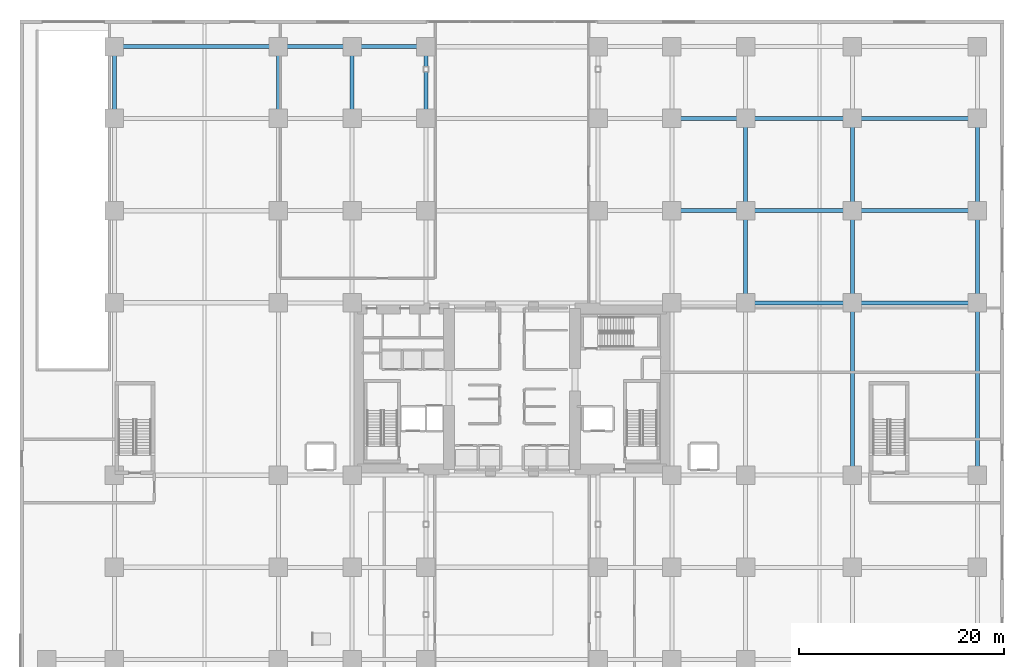
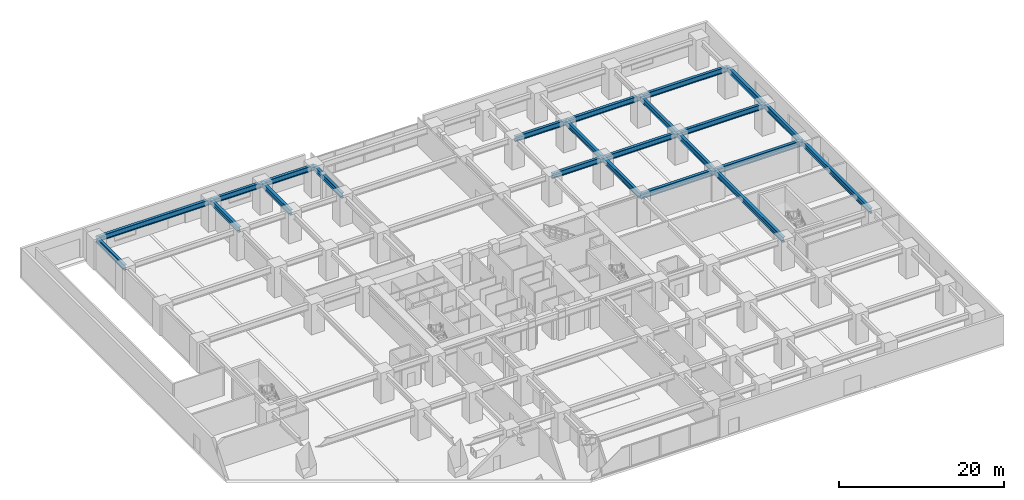
# One storey, part 9 of 26: 23 beams.
"""IFC4 building model written with IfcOpenShell, lengths in metres."""

from ifc_helpers import new_model, si_unit, direction, frame, origin, origin_2d, place, context, subcontext, project, spatial, i_section, extrude, material, material_profile, profile_set, type_object, element, save


model = new_model("IFC4")

# Units and contexts
model_context = context("Model", 3, precision=1e-05, world=origin(), true_north=direction((0.0, 1.0)))
body_context = subcontext(model_context, "Body", "Model", "MODEL_VIEW")
ifc_project = project(units=[si_unit("LENGTHUNIT", "METRE"), si_unit("AREAUNIT", "SQUARE_METRE"), si_unit("VOLUMEUNIT", "CUBIC_METRE"), si_unit("PLANEANGLEUNIT", "RADIAN"), si_unit("MASSUNIT", "GRAM", prefix="KILO")], contexts=[model_context])

# Site, building, storey
site_placement = place(None, origin())
site = spatial("IfcSite", under=ifc_project, at=site_placement, CompositionType="ELEMENT")
building_placement = place(site_placement, origin())
building = spatial("IfcBuilding", under=site, at=building_placement, Name="Kiyonajd Concourse Tower", CompositionType="ELEMENT")
storey_placement = place(building_placement, origin())
storey = spatial("IfcBuildingStorey", under=building, at=storey_placement, Name="L01", CompositionType="ELEMENT", Elevation=0.0)

# Beams
ifc_material = material(Name="Steel ASTM A992 Grade 50", Category="steel")
ifc_material_profile_1 = material_profile(ifc_material, i_section(OverallWidth=0.381103515625, OverallDepth=0.77294921875, WebThickness=0.0166015625, FlangeThickness=0.027099609375, at=origin_2d()), Name="W760X257")
ifc_profile_set_1 = profile_set([ifc_material_profile_1], Name="Steel ASTM A992 Grade 50")
beam_type_1 = type_object("IfcBeamType", Name="BM-POD-760", PredefinedType="BEAM", material=ifc_profile_set_1)
beam_1_placement = place(storey_placement, frame((63.60009765625, 53.39990234375, 3.79345703125), z_axis=(1.0, 0.0, 0.0), x_axis=(0.0, 1.0, 0.0)))
element("IfcBeam", 1, at=beam_1_placement, inside=storey, type_object=beam_type_1, Name="L01 Podium Primary Beam", PredefinedType="BEAM", context=body_context, shape_type="SweptSolid", body=[
    extrude(i_section(OverallWidth=0.381103515625, OverallDepth=0.77294921875, WebThickness=0.0166015625, FlangeThickness=0.027099609375, at=origin_2d()), origin(), (0.0, 0.0, 1.0), 7.199951171875),
])
beam_2_placement = place(storey_placement, frame((70.800048828125, 53.39990234375, 3.79345703125), z_axis=(1.0, 0.0, 0.0), x_axis=(0.0, 1.0, 0.0)))
element("IfcBeam", 2, at=beam_2_placement, inside=storey, type_object=beam_type_1, Name="L01 Podium Primary Beam", PredefinedType="BEAM", context=body_context, shape_type="SweptSolid", body=[
    extrude(i_section(OverallWidth=0.381103515625, OverallDepth=0.77294921875, WebThickness=0.0166015625, FlangeThickness=0.027099609375, at=origin_2d()), origin(), (0.0, 0.0, 1.0), 10.39990234375),
])
beam_3_placement = place(storey_placement, frame((81.199951171875, 53.39990234375, 3.79345703125), z_axis=(1.0, 0.0, 0.0), x_axis=(0.0, 1.0, 0.0)))
element("IfcBeam", 3, at=beam_3_placement, inside=storey, type_object=beam_type_1, Name="L01 Podium Primary Beam", PredefinedType="BEAM", context=body_context, shape_type="SweptSolid", body=[
    extrude(i_section(OverallWidth=0.381103515625, OverallDepth=0.77294921875, WebThickness=0.0166015625, FlangeThickness=0.027099609375, at=origin_2d()), origin(), (0.0, 0.0, 1.0), 12.199951171875),
])
beam_4_placement = place(storey_placement, frame((63.60009765625, 62.39990234375, 3.79345703125), z_axis=(1.0, 0.0, 0.0), x_axis=(0.0, 1.0, 0.0)))
element("IfcBeam", 4, at=beam_4_placement, inside=storey, type_object=beam_type_1, Name="L01 Podium Primary Beam", PredefinedType="BEAM", context=body_context, shape_type="SweptSolid", body=[
    extrude(i_section(OverallWidth=0.381103515625, OverallDepth=0.77294921875, WebThickness=0.0166015625, FlangeThickness=0.027099609375, at=origin_2d()), origin(), (0.0, 0.0, 1.0), 7.199951171875),
])
beam_5_placement = place(storey_placement, frame((70.800048828125, 62.39990234375, 3.79345703125), z_axis=(1.0, 0.0, 0.0), x_axis=(0.0, 1.0, 0.0)))
element("IfcBeam", 5, at=beam_5_placement, inside=storey, type_object=beam_type_1, Name="L01 Podium Primary Beam", PredefinedType="BEAM", context=body_context, shape_type="SweptSolid", body=[
    extrude(i_section(OverallWidth=0.381103515625, OverallDepth=0.77294921875, WebThickness=0.0166015625, FlangeThickness=0.027099609375, at=origin_2d()), origin(), (0.0, 0.0, 1.0), 10.39990234375),
])
beam_6_placement = place(storey_placement, frame((81.199951171875, 62.39990234375, 3.79345703125), z_axis=(1.0, 0.0, 0.0), x_axis=(0.0, 1.0, 0.0)))
element("IfcBeam", 6, at=beam_6_placement, inside=storey, type_object=beam_type_1, Name="L01 Podium Primary Beam", PredefinedType="BEAM", context=body_context, shape_type="SweptSolid", body=[
    extrude(i_section(OverallWidth=0.381103515625, OverallDepth=0.77294921875, WebThickness=0.0166015625, FlangeThickness=0.027099609375, at=origin_2d()), origin(), (0.0, 0.0, 1.0), 12.199951171875),
])
beam_7_placement = place(storey_placement, frame((9.199951171875, 69.39990234375, 3.79345703125), z_axis=(1.0, 0.0, 0.0), x_axis=(0.0, 1.0, 0.0)))
element("IfcBeam", 7, at=beam_7_placement, inside=storey, type_object=beam_type_1, Name="L01 Podium Primary Beam", PredefinedType="BEAM", context=body_context, shape_type="SweptSolid", body=[
    extrude(i_section(OverallWidth=0.381103515625, OverallDepth=0.77294921875, WebThickness=0.0166015625, FlangeThickness=0.027099609375, at=origin_2d()), origin(), (0.0, 0.0, 1.0), 16.0),
])
beam_8_placement = place(storey_placement, frame((25.199951171875, 69.39990234375, 3.79345703125), z_axis=(1.0, 0.0, 0.0), x_axis=(0.0, 1.0, 0.0)))
element("IfcBeam", 8, at=beam_8_placement, inside=storey, type_object=beam_type_1, Name="L01 Podium Primary Beam", PredefinedType="BEAM", context=body_context, shape_type="SweptSolid", body=[
    extrude(i_section(OverallWidth=0.381103515625, OverallDepth=0.77294921875, WebThickness=0.0166015625, FlangeThickness=0.027099609375, at=origin_2d()), origin(), (0.0, 0.0, 1.0), 7.199951171875),
])
beam_9_placement = place(storey_placement, frame((32.39990234375, 69.39990234375, 3.79345703125), z_axis=(1.0, 0.0, 0.0), x_axis=(0.0, 1.0, 0.0)))
element("IfcBeam", 9, at=beam_9_placement, inside=storey, type_object=beam_type_1, Name="L01 Podium Primary Beam", PredefinedType="BEAM", context=body_context, shape_type="SweptSolid", body=[
    extrude(i_section(OverallWidth=0.381103515625, OverallDepth=0.77294921875, WebThickness=0.0166015625, FlangeThickness=0.027099609375, at=origin_2d()), origin(), (0.0, 0.0, 1.0), 7.2001953125),
])
for number, where, z_axis, x_axis, name in (
    (10, (9.199951171875, 62.39990234375, 3.79345703125), (0.0, 1.0, 0.0), (-1.0, 0.0, 0.0), "L01 Podium North South Beam"),
    (11, (25.199951171875, 62.39990234375, 3.79345703125), (0.0, 1.0, 0.0), (-1.0, 0.0, 0.0), "L01 Podium North South Beam"),
    (12, (32.39990234375, 62.39990234375, 3.79345703125), (0.0, 1.0, 0.0), (-1.0, 0.0, 0.0), "L01 Podium North South Beam"),
    (13, (39.60009765625, 62.39990234375, 3.79345703125), (0.0, 1.0, 0.0), (-1.0, 0.0, 0.0), "L01 Podium North South Beam"),
):
    element("IfcBeam", number, at=place(storey_placement, frame(where, z_axis=z_axis, x_axis=x_axis)), inside=storey, type_object=beam_type_1, Name=name, PredefinedType="BEAM", context=body_context, shape_type="SweptSolid", body=[
        extrude(i_section(OverallWidth=0.381103515625, OverallDepth=0.77294921875, WebThickness=0.0166015625, FlangeThickness=0.027099609375, at=origin_2d()), origin(), (0.0, 0.0, 1.0), 7.0),
    ])
for number, where, z_axis, x_axis, name in (
    (14, (70.800048828125, 44.39990234375, 3.79345703125), (0.0, 1.0, 0.0), (-1.0, 0.0, 0.0), "L01 Podium North South Beam"),
    (15, (70.800048828125, 53.39990234375, 3.79345703125), (0.0, 1.0, 0.0), (-1.0, 0.0, 0.0), "L01 Podium North South Beam"),
):
    element("IfcBeam", number, at=place(storey_placement, frame(where, z_axis=z_axis, x_axis=x_axis)), inside=storey, type_object=beam_type_1, Name=name, PredefinedType="BEAM", context=body_context, shape_type="SweptSolid", body=[
        extrude(i_section(OverallWidth=0.381103515625, OverallDepth=0.77294921875, WebThickness=0.0166015625, FlangeThickness=0.027099609375, at=origin_2d()), origin(), (0.0, 0.0, 1.0), 9.0),
    ])
beam_10_placement = place(storey_placement, frame((81.199951171875, 27.60009765625, 3.79345703125), z_axis=(0.0, 1.0, 0.0), x_axis=(-1.0, 0.0, 0.0)))
element("IfcBeam", 16, at=beam_10_placement, inside=storey, type_object=beam_type_1, Name="L01 Podium North South Beam", PredefinedType="BEAM", context=body_context, shape_type="SweptSolid", body=[
    extrude(i_section(OverallWidth=0.381103515625, OverallDepth=0.77294921875, WebThickness=0.0166015625, FlangeThickness=0.027099609375, at=origin_2d()), origin(), (0.0, 0.0, 1.0), 16.7998046875),
])
for number, where, z_axis, x_axis, name in (
    (17, (81.199951171875, 44.39990234375, 3.79345703125), (0.0, 1.0, 0.0), (-1.0, 0.0, 0.0), "L01 Podium North South Beam"),
    (18, (81.199951171875, 53.39990234375, 3.79345703125), (0.0, 1.0, 0.0), (-1.0, 0.0, 0.0), "L01 Podium North South Beam"),
):
    element("IfcBeam", number, at=place(storey_placement, frame(where, z_axis=z_axis, x_axis=x_axis)), inside=storey, type_object=beam_type_1, Name=name, PredefinedType="BEAM", context=body_context, shape_type="SweptSolid", body=[
        extrude(i_section(OverallWidth=0.381103515625, OverallDepth=0.77294921875, WebThickness=0.0166015625, FlangeThickness=0.027099609375, at=origin_2d()), origin(), (0.0, 0.0, 1.0), 9.0),
    ])
beam_11_placement = place(storey_placement, frame((93.39990234375, 27.60009765625, 3.79345703125), z_axis=(0.0, 1.0, 0.0), x_axis=(-1.0, 0.0, 0.0)))
element("IfcBeam", 19, at=beam_11_placement, inside=storey, type_object=beam_type_1, Name="L01 Podium North South Beam", PredefinedType="BEAM", context=body_context, shape_type="SweptSolid", body=[
    extrude(i_section(OverallWidth=0.381103515625, OverallDepth=0.77294921875, WebThickness=0.0166015625, FlangeThickness=0.027099609375, at=origin_2d()), origin(), (0.0, 0.0, 1.0), 16.7998046875),
])
for number, where, z_axis, x_axis, name in (
    (20, (93.39990234375, 44.39990234375, 3.79345703125), (0.0, 1.0, 0.0), (-1.0, 0.0, 0.0), "L01 Podium North South Beam"),
    (21, (93.39990234375, 53.39990234375, 3.79345703125), (0.0, 1.0, 0.0), (-1.0, 0.0, 0.0), "L01 Podium North South Beam"),
):
    element("IfcBeam", number, at=place(storey_placement, frame(where, z_axis=z_axis, x_axis=x_axis)), inside=storey, type_object=beam_type_1, Name=name, PredefinedType="BEAM", context=body_context, shape_type="SweptSolid", body=[
        extrude(i_section(OverallWidth=0.381103515625, OverallDepth=0.77294921875, WebThickness=0.0166015625, FlangeThickness=0.027099609375, at=origin_2d()), origin(), (0.0, 0.0, 1.0), 9.0),
    ])
ifc_material_profile_2 = material_profile(ifc_material, i_section(OverallWidth=0.39990234375, OverallDepth=0.85498046875, WebThickness=0.018310546875, FlangeThickness=0.029296875, at=origin_2d()), Name="W840X299")
ifc_profile_set_2 = profile_set([ifc_material_profile_2], Name="Steel ASTM A992 Grade 50")
beam_type_2 = type_object("IfcBeamType", Name="BM-POD-840", PredefinedType="BEAM", material=ifc_profile_set_2)
beam_12_placement = place(storey_placement, frame((70.800048828125, 44.39990234375, 3.75244140625), z_axis=(1.0, 0.0, 0.0), x_axis=(0.0, 1.0, 0.0)))
element("IfcBeam", 22, at=beam_12_placement, inside=storey, type_object=beam_type_2, Name="L01 Podium Primary Beam", PredefinedType="BEAM", context=body_context, shape_type="SweptSolid", body=[
    extrude(i_section(OverallWidth=0.39990234375, OverallDepth=0.85498046875, WebThickness=0.018310546875, FlangeThickness=0.029296875, at=origin_2d()), origin(), (0.0, 0.0, 1.0), 10.39990234375),
])
beam_13_placement = place(storey_placement, frame((81.199951171875, 44.39990234375, 3.75244140625), z_axis=(1.0, 0.0, 0.0), x_axis=(0.0, 1.0, 0.0)))
element("IfcBeam", 23, at=beam_13_placement, inside=storey, type_object=beam_type_2, Name="L01 Podium Primary Beam", PredefinedType="BEAM", context=body_context, shape_type="SweptSolid", body=[
    extrude(i_section(OverallWidth=0.39990234375, OverallDepth=0.85498046875, WebThickness=0.018310546875, FlangeThickness=0.029296875, at=origin_2d()), origin(), (0.0, 0.0, 1.0), 12.199951171875),
])

save(model, "model.ifc")
